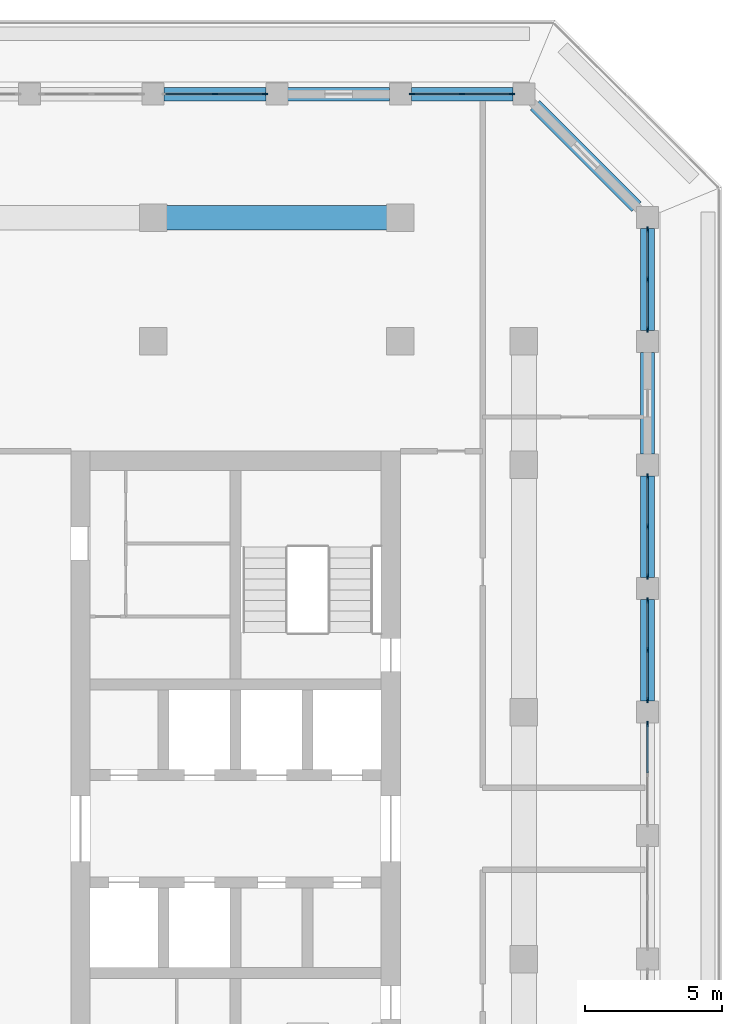
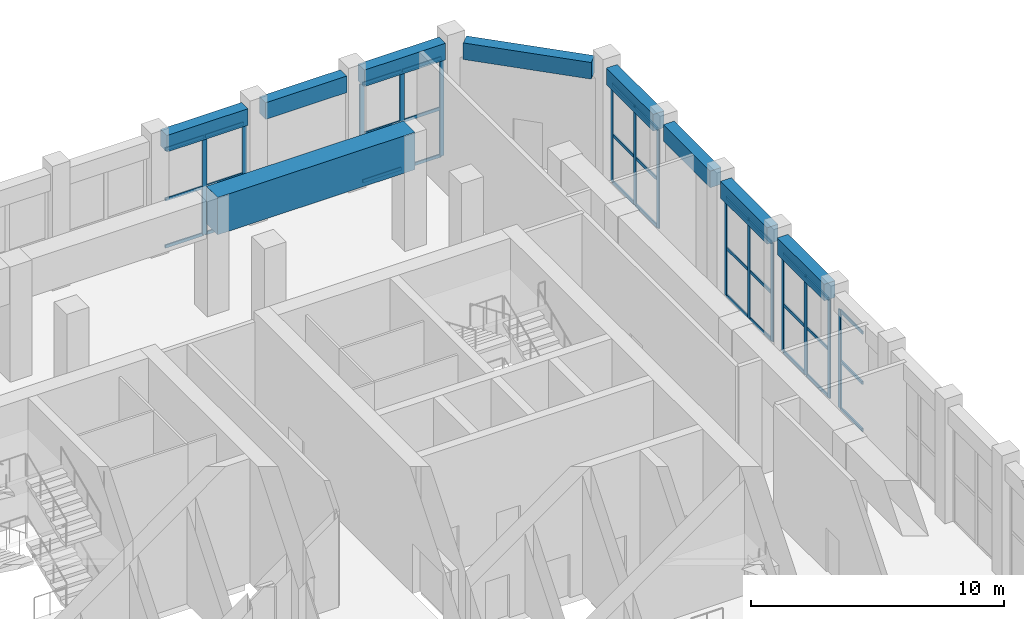
# One storey, part 8 of 25: 48 members, 9 beams, 6 elements without a shape of their own.
"""IFC4 building model written with IfcOpenShell, lengths in metres."""

from ifc_helpers import new_model, si_unit, direction, frame, origin, origin_2d, place, context, subcontext, project, spatial, rectangle, extrude, material, material_profile, profile_set, type_object, element, aggregate, save


model = new_model("IFC4")

# Units and contexts
model_context = context("Model", 3, precision=1e-05, world=origin(), true_north=direction((0.0, 1.0)))
body_context = subcontext(model_context, "Body", "Model", "MODEL_VIEW")
ifc_project = project(units=[si_unit("LENGTHUNIT", "METRE"), si_unit("AREAUNIT", "SQUARE_METRE"), si_unit("VOLUMEUNIT", "CUBIC_METRE"), si_unit("PLANEANGLEUNIT", "RADIAN"), si_unit("MASSUNIT", "GRAM", prefix="KILO")], contexts=[model_context])

# Site, building, storey
site_placement = place(None, origin())
site = spatial("IfcSite", under=ifc_project, at=site_placement, CompositionType="ELEMENT")
building_placement = place(site_placement, origin())
building = spatial("IfcBuilding", under=site, at=building_placement, Name="Corbel Stack Research Tower", CompositionType="ELEMENT")
storey_placement = place(building_placement, frame((0.0, 0.0, 260.300048828125)))
storey = spatial("IfcBuildingStorey", under=building, at=storey_placement, Name="L59", CompositionType="ELEMENT", Elevation=260.300048828125)

# Curtain wall, member
ifc_material_1 = material(Name="Aluminium frame, clear glass", Category="aluminium")
curtain_wall_type = type_object("IfcCurtainWallType", Name="Upper amenity floor curtain wall CW3", PredefinedType="NOTDEFINED", material=ifc_material_1)
curtain_wall_1_placement = place(storey_placement, origin())
curtain_wall_1 = element("IfcCurtainWall", 1, at=curtain_wall_1_placement, inside=storey, type_object=curtain_wall_type, Name="Curtain wall CW3 L59 E06", PredefinedType="NOTDEFINED")
ifc_material_2 = material(Name="Aluminium mullion", Category="aluminium")
ifc_material_profile_1 = material_profile(ifc_material_2, rectangle(XDim=0.06005859375, YDim=0.199951171875, at=origin_2d()), Name="Mullion 60 x 200")
ifc_profile_set_1 = profile_set([ifc_material_profile_1], Name="Aluminium mullion")
member_type_1 = type_object("IfcMemberType", Name="Curtain wall mullion 60 x 200", PredefinedType="MULLION", material=ifc_profile_set_1)
member_1_placement = place(storey_placement, frame((27.0, 8.570068359375, 0.0), z_axis=(0.0, 0.0, 1.0), x_axis=(-1.0, 0.0, 0.0)))
member_1 = element("IfcMember", 2, at=member_1_placement, type_object=member_type_1, Name="CW3 mullion 3", PredefinedType="MULLION", context=body_context, shape_type="SweptSolid", body=[
    extrude(rectangle(XDim=0.06005859375, YDim=0.199951171875, at=origin_2d()), origin(), (0.0, 0.0, 1.0), 4.75),
])

# Curtain wall, members
curtain_wall_2_placement = place(storey_placement, origin())
curtain_wall_2 = element("IfcCurtainWall", 3, at=curtain_wall_2_placement, inside=storey, type_object=curtain_wall_type, Name="Curtain wall CW3 L59 E07", PredefinedType="NOTDEFINED")
member_2_placement = place(storey_placement, frame((27.0, 9.429931640625, 0.0), z_axis=(0.0, 0.0, 1.0), x_axis=(-1.0, 0.0, 0.0)))
member_2 = element("IfcMember", 4, at=member_2_placement, type_object=member_type_1, Name="CW3 mullion 1", PredefinedType="MULLION", context=body_context, shape_type="SweptSolid", body=[
    extrude(rectangle(XDim=0.06005859375, YDim=0.199951171875, at=origin_2d()), origin(), (0.0, 0.0, 1.0), 4.75),
])
member_3_placement = place(storey_placement, frame((27.0, 11.25, 0.0), z_axis=(0.0, 0.0, 1.0), x_axis=(-1.0, 0.0, 0.0)))
member_3 = element("IfcMember", 5, at=member_3_placement, type_object=member_type_1, Name="CW3 mullion 2", PredefinedType="MULLION", context=body_context, shape_type="SweptSolid", body=[
    extrude(rectangle(XDim=0.06005859375, YDim=0.199951171875, at=origin_2d()), origin(), (0.0, 0.0, 1.0), 4.75),
])
member_4_placement = place(storey_placement, frame((27.0, 13.070068359375, 0.0), z_axis=(0.0, 0.0, 1.0), x_axis=(-1.0, 0.0, 0.0)))
member_4 = element("IfcMember", 6, at=member_4_placement, type_object=member_type_1, Name="CW3 mullion 3", PredefinedType="MULLION", context=body_context, shape_type="SweptSolid", body=[
    extrude(rectangle(XDim=0.06005859375, YDim=0.199951171875, at=origin_2d()), origin(), (0.0, 0.0, 1.0), 4.75),
])

curtain_wall_3_placement = place(storey_placement, origin())
curtain_wall_3 = element("IfcCurtainWall", 7, at=curtain_wall_3_placement, inside=storey, type_object=curtain_wall_type, Name="Curtain wall CW3 L59 E08", PredefinedType="NOTDEFINED")
member_5_placement = place(storey_placement, frame((27.0, 13.929931640625, 0.0), z_axis=(0.0, 0.0, 1.0), x_axis=(-1.0, 0.0, 0.0)))
member_5 = element("IfcMember", 8, at=member_5_placement, type_object=member_type_1, Name="CW3 mullion 1", PredefinedType="MULLION", context=body_context, shape_type="SweptSolid", body=[
    extrude(rectangle(XDim=0.06005859375, YDim=0.199951171875, at=origin_2d()), origin(), (0.0, 0.0, 1.0), 4.75),
])
member_6_placement = place(storey_placement, frame((27.0, 15.75, 0.0), z_axis=(0.0, 0.0, 1.0), x_axis=(-1.0, 0.0, 0.0)))
member_6 = element("IfcMember", 9, at=member_6_placement, type_object=member_type_1, Name="CW3 mullion 2", PredefinedType="MULLION", context=body_context, shape_type="SweptSolid", body=[
    extrude(rectangle(XDim=0.06005859375, YDim=0.199951171875, at=origin_2d()), origin(), (0.0, 0.0, 1.0), 4.75),
])
member_7_placement = place(storey_placement, frame((27.0, 17.570068359375, 0.0), z_axis=(0.0, 0.0, 1.0), x_axis=(-1.0, 0.0, 0.0)))
member_7 = element("IfcMember", 10, at=member_7_placement, type_object=member_type_1, Name="CW3 mullion 3", PredefinedType="MULLION", context=body_context, shape_type="SweptSolid", body=[
    extrude(rectangle(XDim=0.06005859375, YDim=0.199951171875, at=origin_2d()), origin(), (0.0, 0.0, 1.0), 4.75),
])

curtain_wall_4_placement = place(storey_placement, origin())
curtain_wall_4 = element("IfcCurtainWall", 11, at=curtain_wall_4_placement, inside=storey, type_object=curtain_wall_type, Name="Curtain wall CW3 L59 E10", PredefinedType="NOTDEFINED")
member_8_placement = place(storey_placement, frame((27.0, 22.929931640625, 0.0), z_axis=(0.0, 0.0, 1.0), x_axis=(-1.0, 0.0, 0.0)))
member_8 = element("IfcMember", 12, at=member_8_placement, type_object=member_type_1, Name="CW3 mullion 1", PredefinedType="MULLION", context=body_context, shape_type="SweptSolid", body=[
    extrude(rectangle(XDim=0.06005859375, YDim=0.199951171875, at=origin_2d()), origin(), (0.0, 0.0, 1.0), 4.75),
])
member_9_placement = place(storey_placement, frame((27.0, 24.75, 0.0), z_axis=(0.0, 0.0, 1.0), x_axis=(-1.0, 0.0, 0.0)))
member_9 = element("IfcMember", 13, at=member_9_placement, type_object=member_type_1, Name="CW3 mullion 2", PredefinedType="MULLION", context=body_context, shape_type="SweptSolid", body=[
    extrude(rectangle(XDim=0.06005859375, YDim=0.199951171875, at=origin_2d()), origin(), (0.0, 0.0, 1.0), 4.75),
])
member_10_placement = place(storey_placement, frame((27.0, 26.570068359375, 0.0), z_axis=(0.0, 0.0, 1.0), x_axis=(-1.0, 0.0, 0.0)))
member_10 = element("IfcMember", 14, at=member_10_placement, type_object=member_type_1, Name="CW3 mullion 3", PredefinedType="MULLION", context=body_context, shape_type="SweptSolid", body=[
    extrude(rectangle(XDim=0.06005859375, YDim=0.199951171875, at=origin_2d()), origin(), (0.0, 0.0, 1.0), 4.75),
])

curtain_wall_5_placement = place(storey_placement, origin())
curtain_wall_5 = element("IfcCurtainWall", 15, at=curtain_wall_5_placement, inside=storey, type_object=curtain_wall_type, Name="Curtain wall CW3 L59 N01", PredefinedType="NOTDEFINED")
member_11_placement = place(storey_placement, frame((22.070068359375, 31.5, 0.0), z_axis=(0.0, 0.0, 1.0), x_axis=(0.0, -1.0, 0.0)))
member_11 = element("IfcMember", 16, at=member_11_placement, type_object=member_type_1, Name="CW3 mullion 1", PredefinedType="MULLION", context=body_context, shape_type="SweptSolid", body=[
    extrude(rectangle(XDim=0.06005859375, YDim=0.199951171875, at=origin_2d()), origin(), (0.0, 0.0, 1.0), 4.75),
])
member_12_placement = place(storey_placement, frame((20.25, 31.5, 0.0), z_axis=(0.0, 0.0, 1.0), x_axis=(0.0, -1.0, 0.0)))
member_12 = element("IfcMember", 17, at=member_12_placement, type_object=member_type_1, Name="CW3 mullion 2", PredefinedType="MULLION", context=body_context, shape_type="SweptSolid", body=[
    extrude(rectangle(XDim=0.06005859375, YDim=0.199951171875, at=origin_2d()), origin(), (0.0, 0.0, 1.0), 4.75),
])
member_13_placement = place(storey_placement, frame((18.429931640625, 31.5, 0.0), z_axis=(0.0, 0.0, 1.0), x_axis=(0.0, -1.0, 0.0)))
member_13 = element("IfcMember", 18, at=member_13_placement, type_object=member_type_1, Name="CW3 mullion 3", PredefinedType="MULLION", context=body_context, shape_type="SweptSolid", body=[
    extrude(rectangle(XDim=0.06005859375, YDim=0.199951171875, at=origin_2d()), origin(), (0.0, 0.0, 1.0), 4.75),
])

curtain_wall_6_placement = place(storey_placement, origin())
curtain_wall_6 = element("IfcCurtainWall", 19, at=curtain_wall_6_placement, inside=storey, type_object=curtain_wall_type, Name="Curtain wall CW3 L59 N03", PredefinedType="NOTDEFINED")
member_14_placement = place(storey_placement, frame((13.070068359375, 31.5, 0.0), z_axis=(0.0, 0.0, 1.0), x_axis=(0.0, -1.0, 0.0)))
member_14 = element("IfcMember", 20, at=member_14_placement, type_object=member_type_1, Name="CW3 mullion 1", PredefinedType="MULLION", context=body_context, shape_type="SweptSolid", body=[
    extrude(rectangle(XDim=0.06005859375, YDim=0.199951171875, at=origin_2d()), origin(), (0.0, 0.0, 1.0), 4.75),
])
member_15_placement = place(storey_placement, frame((11.25, 31.5, 0.0), z_axis=(0.0, 0.0, 1.0), x_axis=(0.0, -1.0, 0.0)))
member_15 = element("IfcMember", 21, at=member_15_placement, type_object=member_type_1, Name="CW3 mullion 2", PredefinedType="MULLION", context=body_context, shape_type="SweptSolid", body=[
    extrude(rectangle(XDim=0.06005859375, YDim=0.199951171875, at=origin_2d()), origin(), (0.0, 0.0, 1.0), 4.75),
])

# Member
ifc_material_3 = material(Name="Aluminium transom", Category="aluminium")
ifc_material_profile_2 = material_profile(ifc_material_3, rectangle(XDim=0.06005859375, YDim=0.14990234375, at=origin_2d()), Name="Transom 60 x 150")
ifc_profile_set_2 = profile_set([ifc_material_profile_2], Name="Aluminium transom")
member_type_2 = type_object("IfcMemberType", Name="Curtain wall transom 60 x 150", PredefinedType="USERDEFINED", material=ifc_profile_set_2)
member_16_placement = place(storey_placement, frame((27.0, 6.780029296875, 0.030029296875), z_axis=(0.0, 1.0, 0.0), x_axis=(-1.0, 0.0, 0.0)))
member_16 = element("IfcMember", 22, at=member_16_placement, type_object=member_type_2, Name="CW3 transom 2.1", ObjectType="TRANSOM", PredefinedType="USERDEFINED", context=body_context, shape_type="SweptSolid", body=[
    extrude(rectangle(XDim=0.06005859375, YDim=0.14990234375, at=origin_2d()), origin(), (0.0, 0.0, 1.0), 1.760009765625),
])

member_17_placement = place(storey_placement, frame((27.0, 6.780029296875, 2.300048828125), z_axis=(0.0, 1.0, 0.0), x_axis=(-1.0, 0.0, 0.0)))
member_17 = element("IfcMember", 23, at=member_17_placement, type_object=member_type_2, Name="CW3 transom 2.2", ObjectType="TRANSOM", PredefinedType="USERDEFINED", context=body_context, shape_type="SweptSolid", body=[
    extrude(rectangle(XDim=0.06005859375, YDim=0.14990234375, at=origin_2d()), origin(), (0.0, 0.0, 1.0), 1.760009765625),
])

member_18_placement = place(storey_placement, frame((27.0, 6.780029296875, 4.719970703125), z_axis=(0.0, 1.0, 0.0), x_axis=(-1.0, 0.0, 0.0)))
member_18 = element("IfcMember", 24, at=member_18_placement, type_object=member_type_2, Name="CW3 transom 2.3", ObjectType="TRANSOM", PredefinedType="USERDEFINED", context=body_context, shape_type="SweptSolid", body=[
    extrude(rectangle(XDim=0.06005859375, YDim=0.14990234375, at=origin_2d()), origin(), (0.0, 0.0, 1.0), 1.760009765625),
])

aggregate(curtain_wall_1, [member_1, member_16, member_17, member_18])

member_19_placement = place(storey_placement, frame((27.0, 9.4599609375, 0.030029296875), z_axis=(0.0, 1.0, 0.0), x_axis=(-1.0, 0.0, 0.0)))
member_19 = element("IfcMember", 25, at=member_19_placement, type_object=member_type_2, Name="CW3 transom 1.1", ObjectType="TRANSOM", PredefinedType="USERDEFINED", context=body_context, shape_type="SweptSolid", body=[
    extrude(rectangle(XDim=0.06005859375, YDim=0.14990234375, at=origin_2d()), origin(), (0.0, 0.0, 1.0), 1.760009765625),
])

member_20_placement = place(storey_placement, frame((27.0, 9.4599609375, 2.300048828125), z_axis=(0.0, 1.0, 0.0), x_axis=(-1.0, 0.0, 0.0)))
member_20 = element("IfcMember", 26, at=member_20_placement, type_object=member_type_2, Name="CW3 transom 1.2", ObjectType="TRANSOM", PredefinedType="USERDEFINED", context=body_context, shape_type="SweptSolid", body=[
    extrude(rectangle(XDim=0.06005859375, YDim=0.14990234375, at=origin_2d()), origin(), (0.0, 0.0, 1.0), 1.760009765625),
])

member_21_placement = place(storey_placement, frame((27.0, 9.4599609375, 4.719970703125), z_axis=(0.0, 1.0, 0.0), x_axis=(-1.0, 0.0, 0.0)))
member_21 = element("IfcMember", 27, at=member_21_placement, type_object=member_type_2, Name="CW3 transom 1.3", ObjectType="TRANSOM", PredefinedType="USERDEFINED", context=body_context, shape_type="SweptSolid", body=[
    extrude(rectangle(XDim=0.06005859375, YDim=0.14990234375, at=origin_2d()), origin(), (0.0, 0.0, 1.0), 1.760009765625),
])

member_22_placement = place(storey_placement, frame((27.0, 11.280029296875, 0.030029296875), z_axis=(0.0, 1.0, 0.0), x_axis=(-1.0, 0.0, 0.0)))
member_22 = element("IfcMember", 28, at=member_22_placement, type_object=member_type_2, Name="CW3 transom 2.1", ObjectType="TRANSOM", PredefinedType="USERDEFINED", context=body_context, shape_type="SweptSolid", body=[
    extrude(rectangle(XDim=0.06005859375, YDim=0.14990234375, at=origin_2d()), origin(), (0.0, 0.0, 1.0), 1.760009765625),
])

member_23_placement = place(storey_placement, frame((27.0, 11.280029296875, 2.300048828125), z_axis=(0.0, 1.0, 0.0), x_axis=(-1.0, 0.0, 0.0)))
member_23 = element("IfcMember", 29, at=member_23_placement, type_object=member_type_2, Name="CW3 transom 2.2", ObjectType="TRANSOM", PredefinedType="USERDEFINED", context=body_context, shape_type="SweptSolid", body=[
    extrude(rectangle(XDim=0.06005859375, YDim=0.14990234375, at=origin_2d()), origin(), (0.0, 0.0, 1.0), 1.760009765625),
])

member_24_placement = place(storey_placement, frame((27.0, 11.280029296875, 4.719970703125), z_axis=(0.0, 1.0, 0.0), x_axis=(-1.0, 0.0, 0.0)))
member_24 = element("IfcMember", 30, at=member_24_placement, type_object=member_type_2, Name="CW3 transom 2.3", ObjectType="TRANSOM", PredefinedType="USERDEFINED", context=body_context, shape_type="SweptSolid", body=[
    extrude(rectangle(XDim=0.06005859375, YDim=0.14990234375, at=origin_2d()), origin(), (0.0, 0.0, 1.0), 1.760009765625),
])

aggregate(curtain_wall_2, [member_2, member_3, member_4, member_19, member_20, member_21, member_22, member_23, member_24])

member_25_placement = place(storey_placement, frame((27.0, 13.9599609375, 0.030029296875), z_axis=(0.0, 1.0, 0.0), x_axis=(-1.0, 0.0, 0.0)))
member_25 = element("IfcMember", 31, at=member_25_placement, type_object=member_type_2, Name="CW3 transom 1.1", ObjectType="TRANSOM", PredefinedType="USERDEFINED", context=body_context, shape_type="SweptSolid", body=[
    extrude(rectangle(XDim=0.06005859375, YDim=0.14990234375, at=origin_2d()), origin(), (0.0, 0.0, 1.0), 1.760009765625),
])

member_26_placement = place(storey_placement, frame((27.0, 13.9599609375, 2.300048828125), z_axis=(0.0, 1.0, 0.0), x_axis=(-1.0, 0.0, 0.0)))
member_26 = element("IfcMember", 32, at=member_26_placement, type_object=member_type_2, Name="CW3 transom 1.2", ObjectType="TRANSOM", PredefinedType="USERDEFINED", context=body_context, shape_type="SweptSolid", body=[
    extrude(rectangle(XDim=0.06005859375, YDim=0.14990234375, at=origin_2d()), origin(), (0.0, 0.0, 1.0), 1.760009765625),
])

member_27_placement = place(storey_placement, frame((27.0, 13.9599609375, 4.719970703125), z_axis=(0.0, 1.0, 0.0), x_axis=(-1.0, 0.0, 0.0)))
member_27 = element("IfcMember", 33, at=member_27_placement, type_object=member_type_2, Name="CW3 transom 1.3", ObjectType="TRANSOM", PredefinedType="USERDEFINED", context=body_context, shape_type="SweptSolid", body=[
    extrude(rectangle(XDim=0.06005859375, YDim=0.14990234375, at=origin_2d()), origin(), (0.0, 0.0, 1.0), 1.760009765625),
])

member_28_placement = place(storey_placement, frame((27.0, 15.780029296875, 0.030029296875), z_axis=(0.0, 1.0, 0.0), x_axis=(-1.0, 0.0, 0.0)))
member_28 = element("IfcMember", 34, at=member_28_placement, type_object=member_type_2, Name="CW3 transom 2.1", ObjectType="TRANSOM", PredefinedType="USERDEFINED", context=body_context, shape_type="SweptSolid", body=[
    extrude(rectangle(XDim=0.06005859375, YDim=0.14990234375, at=origin_2d()), origin(), (0.0, 0.0, 1.0), 1.760009765625),
])

member_29_placement = place(storey_placement, frame((27.0, 15.780029296875, 2.300048828125), z_axis=(0.0, 1.0, 0.0), x_axis=(-1.0, 0.0, 0.0)))
member_29 = element("IfcMember", 35, at=member_29_placement, type_object=member_type_2, Name="CW3 transom 2.2", ObjectType="TRANSOM", PredefinedType="USERDEFINED", context=body_context, shape_type="SweptSolid", body=[
    extrude(rectangle(XDim=0.06005859375, YDim=0.14990234375, at=origin_2d()), origin(), (0.0, 0.0, 1.0), 1.760009765625),
])

member_30_placement = place(storey_placement, frame((27.0, 15.780029296875, 4.719970703125), z_axis=(0.0, 1.0, 0.0), x_axis=(-1.0, 0.0, 0.0)))
member_30 = element("IfcMember", 36, at=member_30_placement, type_object=member_type_2, Name="CW3 transom 2.3", ObjectType="TRANSOM", PredefinedType="USERDEFINED", context=body_context, shape_type="SweptSolid", body=[
    extrude(rectangle(XDim=0.06005859375, YDim=0.14990234375, at=origin_2d()), origin(), (0.0, 0.0, 1.0), 1.760009765625),
])

aggregate(curtain_wall_3, [member_5, member_6, member_7, member_25, member_26, member_27, member_28, member_29, member_30])

member_31_placement = place(storey_placement, frame((27.0, 22.9599609375, 0.030029296875), z_axis=(0.0, 1.0, 0.0), x_axis=(-1.0, 0.0, 0.0)))
member_31 = element("IfcMember", 37, at=member_31_placement, type_object=member_type_2, Name="CW3 transom 1.1", ObjectType="TRANSOM", PredefinedType="USERDEFINED", context=body_context, shape_type="SweptSolid", body=[
    extrude(rectangle(XDim=0.06005859375, YDim=0.14990234375, at=origin_2d()), origin(), (0.0, 0.0, 1.0), 1.760009765625),
])

member_32_placement = place(storey_placement, frame((27.0, 22.9599609375, 2.300048828125), z_axis=(0.0, 1.0, 0.0), x_axis=(-1.0, 0.0, 0.0)))
member_32 = element("IfcMember", 38, at=member_32_placement, type_object=member_type_2, Name="CW3 transom 1.2", ObjectType="TRANSOM", PredefinedType="USERDEFINED", context=body_context, shape_type="SweptSolid", body=[
    extrude(rectangle(XDim=0.06005859375, YDim=0.14990234375, at=origin_2d()), origin(), (0.0, 0.0, 1.0), 1.760009765625),
])

member_33_placement = place(storey_placement, frame((27.0, 22.9599609375, 4.719970703125), z_axis=(0.0, 1.0, 0.0), x_axis=(-1.0, 0.0, 0.0)))
member_33 = element("IfcMember", 39, at=member_33_placement, type_object=member_type_2, Name="CW3 transom 1.3", ObjectType="TRANSOM", PredefinedType="USERDEFINED", context=body_context, shape_type="SweptSolid", body=[
    extrude(rectangle(XDim=0.06005859375, YDim=0.14990234375, at=origin_2d()), origin(), (0.0, 0.0, 1.0), 1.760009765625),
])

member_34_placement = place(storey_placement, frame((27.0, 24.780029296875, 0.030029296875), z_axis=(0.0, 1.0, 0.0), x_axis=(-1.0, 0.0, 0.0)))
member_34 = element("IfcMember", 40, at=member_34_placement, type_object=member_type_2, Name="CW3 transom 2.1", ObjectType="TRANSOM", PredefinedType="USERDEFINED", context=body_context, shape_type="SweptSolid", body=[
    extrude(rectangle(XDim=0.06005859375, YDim=0.14990234375, at=origin_2d()), origin(), (0.0, 0.0, 1.0), 1.760009765625),
])

member_35_placement = place(storey_placement, frame((27.0, 24.780029296875, 2.300048828125), z_axis=(0.0, 1.0, 0.0), x_axis=(-1.0, 0.0, 0.0)))
member_35 = element("IfcMember", 41, at=member_35_placement, type_object=member_type_2, Name="CW3 transom 2.2", ObjectType="TRANSOM", PredefinedType="USERDEFINED", context=body_context, shape_type="SweptSolid", body=[
    extrude(rectangle(XDim=0.06005859375, YDim=0.14990234375, at=origin_2d()), origin(), (0.0, 0.0, 1.0), 1.760009765625),
])

member_36_placement = place(storey_placement, frame((27.0, 24.780029296875, 4.719970703125), z_axis=(0.0, 1.0, 0.0), x_axis=(-1.0, 0.0, 0.0)))
member_36 = element("IfcMember", 42, at=member_36_placement, type_object=member_type_2, Name="CW3 transom 2.3", ObjectType="TRANSOM", PredefinedType="USERDEFINED", context=body_context, shape_type="SweptSolid", body=[
    extrude(rectangle(XDim=0.06005859375, YDim=0.14990234375, at=origin_2d()), origin(), (0.0, 0.0, 1.0), 1.760009765625),
])

aggregate(curtain_wall_4, [member_8, member_9, member_10, member_31, member_32, member_33, member_34, member_35, member_36])

member_37_placement = place(storey_placement, frame((22.0400390625, 31.5, 0.030029296875), z_axis=(-1.0, 0.0, 0.0), x_axis=(0.0, -1.0, 0.0)))
member_37 = element("IfcMember", 43, at=member_37_placement, type_object=member_type_2, Name="CW3 transom 1.1", ObjectType="TRANSOM", PredefinedType="USERDEFINED", context=body_context, shape_type="SweptSolid", body=[
    extrude(rectangle(XDim=0.06005859375, YDim=0.14990234375, at=origin_2d()), origin(), (0.0, 0.0, 1.0), 1.760009765625),
])

member_38_placement = place(storey_placement, frame((22.0400390625, 31.5, 2.300048828125), z_axis=(-1.0, 0.0, 0.0), x_axis=(0.0, -1.0, 0.0)))
member_38 = element("IfcMember", 44, at=member_38_placement, type_object=member_type_2, Name="CW3 transom 1.2", ObjectType="TRANSOM", PredefinedType="USERDEFINED", context=body_context, shape_type="SweptSolid", body=[
    extrude(rectangle(XDim=0.06005859375, YDim=0.14990234375, at=origin_2d()), origin(), (0.0, 0.0, 1.0), 1.760009765625),
])

member_39_placement = place(storey_placement, frame((22.0400390625, 31.5, 4.719970703125), z_axis=(-1.0, 0.0, 0.0), x_axis=(0.0, -1.0, 0.0)))
member_39 = element("IfcMember", 45, at=member_39_placement, type_object=member_type_2, Name="CW3 transom 1.3", ObjectType="TRANSOM", PredefinedType="USERDEFINED", context=body_context, shape_type="SweptSolid", body=[
    extrude(rectangle(XDim=0.06005859375, YDim=0.14990234375, at=origin_2d()), origin(), (0.0, 0.0, 1.0), 1.760009765625),
])

member_40_placement = place(storey_placement, frame((20.219970703125, 31.5, 0.030029296875), z_axis=(-1.0, 0.0, 0.0), x_axis=(0.0, -1.0, 0.0)))
member_40 = element("IfcMember", 46, at=member_40_placement, type_object=member_type_2, Name="CW3 transom 2.1", ObjectType="TRANSOM", PredefinedType="USERDEFINED", context=body_context, shape_type="SweptSolid", body=[
    extrude(rectangle(XDim=0.06005859375, YDim=0.14990234375, at=origin_2d()), origin(), (0.0, 0.0, 1.0), 1.760009765625),
])

member_41_placement = place(storey_placement, frame((20.219970703125, 31.5, 2.300048828125), z_axis=(-1.0, 0.0, 0.0), x_axis=(0.0, -1.0, 0.0)))
member_41 = element("IfcMember", 47, at=member_41_placement, type_object=member_type_2, Name="CW3 transom 2.2", ObjectType="TRANSOM", PredefinedType="USERDEFINED", context=body_context, shape_type="SweptSolid", body=[
    extrude(rectangle(XDim=0.06005859375, YDim=0.14990234375, at=origin_2d()), origin(), (0.0, 0.0, 1.0), 1.760009765625),
])

member_42_placement = place(storey_placement, frame((20.219970703125, 31.5, 4.719970703125), z_axis=(-1.0, 0.0, 0.0), x_axis=(0.0, -1.0, 0.0)))
member_42 = element("IfcMember", 48, at=member_42_placement, type_object=member_type_2, Name="CW3 transom 2.3", ObjectType="TRANSOM", PredefinedType="USERDEFINED", context=body_context, shape_type="SweptSolid", body=[
    extrude(rectangle(XDim=0.06005859375, YDim=0.14990234375, at=origin_2d()), origin(), (0.0, 0.0, 1.0), 1.760009765625),
])

aggregate(curtain_wall_5, [member_11, member_12, member_13, member_37, member_38, member_39, member_40, member_41, member_42])

member_43_placement = place(storey_placement, frame((13.0400390625, 31.5, 0.030029296875), z_axis=(-1.0, 0.0, 0.0), x_axis=(0.0, -1.0, 0.0)))
member_43 = element("IfcMember", 49, at=member_43_placement, type_object=member_type_2, Name="CW3 transom 1.1", ObjectType="TRANSOM", PredefinedType="USERDEFINED", context=body_context, shape_type="SweptSolid", body=[
    extrude(rectangle(XDim=0.06005859375, YDim=0.14990234375, at=origin_2d()), origin(), (0.0, 0.0, 1.0), 1.760009765625),
])

member_44_placement = place(storey_placement, frame((13.0400390625, 31.5, 2.300048828125), z_axis=(-1.0, 0.0, 0.0), x_axis=(0.0, -1.0, 0.0)))
member_44 = element("IfcMember", 50, at=member_44_placement, type_object=member_type_2, Name="CW3 transom 1.2", ObjectType="TRANSOM", PredefinedType="USERDEFINED", context=body_context, shape_type="SweptSolid", body=[
    extrude(rectangle(XDim=0.06005859375, YDim=0.14990234375, at=origin_2d()), origin(), (0.0, 0.0, 1.0), 1.760009765625),
])

member_45_placement = place(storey_placement, frame((13.0400390625, 31.5, 4.719970703125), z_axis=(-1.0, 0.0, 0.0), x_axis=(0.0, -1.0, 0.0)))
member_45 = element("IfcMember", 51, at=member_45_placement, type_object=member_type_2, Name="CW3 transom 1.3", ObjectType="TRANSOM", PredefinedType="USERDEFINED", context=body_context, shape_type="SweptSolid", body=[
    extrude(rectangle(XDim=0.06005859375, YDim=0.14990234375, at=origin_2d()), origin(), (0.0, 0.0, 1.0), 1.760009765625),
])

member_46_placement = place(storey_placement, frame((11.219970703125, 31.5, 0.030029296875), z_axis=(-1.0, 0.0, 0.0), x_axis=(0.0, -1.0, 0.0)))
member_46 = element("IfcMember", 52, at=member_46_placement, type_object=member_type_2, Name="CW3 transom 2.1", ObjectType="TRANSOM", PredefinedType="USERDEFINED", context=body_context, shape_type="SweptSolid", body=[
    extrude(rectangle(XDim=0.06005859375, YDim=0.14990234375, at=origin_2d()), origin(), (0.0, 0.0, 1.0), 1.760009765625),
])

member_47_placement = place(storey_placement, frame((11.219970703125, 31.5, 2.300048828125), z_axis=(-1.0, 0.0, 0.0), x_axis=(0.0, -1.0, 0.0)))
member_47 = element("IfcMember", 53, at=member_47_placement, type_object=member_type_2, Name="CW3 transom 2.2", ObjectType="TRANSOM", PredefinedType="USERDEFINED", context=body_context, shape_type="SweptSolid", body=[
    extrude(rectangle(XDim=0.06005859375, YDim=0.14990234375, at=origin_2d()), origin(), (0.0, 0.0, 1.0), 1.760009765625),
])

member_48_placement = place(storey_placement, frame((11.219970703125, 31.5, 4.719970703125), z_axis=(-1.0, 0.0, 0.0), x_axis=(0.0, -1.0, 0.0)))
member_48 = element("IfcMember", 54, at=member_48_placement, type_object=member_type_2, Name="CW3 transom 2.3", ObjectType="TRANSOM", PredefinedType="USERDEFINED", context=body_context, shape_type="SweptSolid", body=[
    extrude(rectangle(XDim=0.06005859375, YDim=0.14990234375, at=origin_2d()), origin(), (0.0, 0.0, 1.0), 1.760009765625),
])

aggregate(curtain_wall_6, [member_14, member_15, member_43, member_44, member_45, member_46, member_47, member_48])

# Beams
ifc_material_4 = material(Name="Concrete C60/75", Category="concrete")
ifc_material_profile_3 = material_profile(ifc_material_4, rectangle(XDim=0.5, YDim=0.800048828125, at=origin_2d()), Name="RC 500 x 800")
ifc_profile_set_3 = profile_set([ifc_material_profile_3], Name="Concrete C60/75")
beam_type_1 = type_object("IfcBeamType", Name="SB-500-800-450", PredefinedType="SPANDREL", material=ifc_profile_set_3)
for number, where, z_axis, x_axis, name in (
    (55, (27.0, 9.39990234375, 5.14990234375), (0.0, 1.0, 0.0), (-1.0, 0.0, 0.0), "Spandrel beam L59-16"),
    (56, (27.0, 13.89990234375, 5.14990234375), (0.0, 1.0, 0.0), (-1.0, 0.0, 0.0), "Spandrel beam L59-17"),
    (57, (27.0, 18.39990234375, 5.14990234375), (0.0, 1.0, 0.0), (-1.0, 0.0, 0.0), "Spandrel beam L59-18"),
    (58, (27.0, 22.89990234375, 5.14990234375), (0.0, 1.0, 0.0), (-1.0, 0.0, 0.0), "Spandrel beam L59-19"),
):
    element("IfcBeam", number, at=place(storey_placement, frame(where, z_axis=z_axis, x_axis=x_axis)), inside=storey, type_object=beam_type_1, Name=name, PredefinedType="SPANDREL", context=body_context, shape_type="SweptSolid", body=[
        extrude(rectangle(XDim=0.5, YDim=0.800048828125, at=origin_2d()), origin(), (0.0, 0.0, 1.0), 3.7001953125),
    ])
beam_1_placement = place(storey_placement, frame((26.60009765625, 27.39990234375, 5.14990234375), z_axis=(-0.707106781187, 0.707106781187, 0.0), x_axis=(-0.707106781187, -0.707106781187, 0.0)))
element("IfcBeam", 59, at=beam_1_placement, inside=storey, type_object=beam_type_1, Name="Spandrel beam L59-20", PredefinedType="SPANDREL", context=body_context, shape_type="SweptSolid", body=[
    extrude(rectangle(XDim=0.5, YDim=0.800048828125, at=origin_2d()), origin(), (0.0, 0.0, 1.0), 5.23291015625),
])
for number, where, z_axis, x_axis, name in (
    (60, (22.10009765625, 31.5, 5.14990234375), (-1.0, 0.0, 0.0), (0.0, -1.0, 0.0), "Spandrel beam L59-21"),
    (61, (17.60009765625, 31.5, 5.14990234375), (-1.0, 0.0, 0.0), (0.0, -1.0, 0.0), "Spandrel beam L59-22"),
    (62, (13.10009765625, 31.5, 5.14990234375), (-1.0, 0.0, 0.0), (0.0, -1.0, 0.0), "Spandrel beam L59-23"),
):
    element("IfcBeam", number, at=place(storey_placement, frame(where, z_axis=z_axis, x_axis=x_axis)), inside=storey, type_object=beam_type_1, Name=name, PredefinedType="SPANDREL", context=body_context, shape_type="SweptSolid", body=[
        extrude(rectangle(XDim=0.5, YDim=0.800048828125, at=origin_2d()), origin(), (0.0, 0.0, 1.0), 3.7001953125),
    ])
ifc_material_5 = material(Name="Concrete C60/75", Category="concrete")
ifc_material_profile_4 = material_profile(ifc_material_5, rectangle(XDim=0.89990234375, YDim=1.800048828125, at=origin_2d()), Name="RC 900 x 1800")
ifc_profile_set_4 = profile_set([ifc_material_profile_4], Name="Concrete C60/75")
beam_type_2 = type_object("IfcBeamType", Name="TG-900-1800", PredefinedType="BEAM", material=ifc_profile_set_4)
beam_2_placement = place(storey_placement, frame((9.0, 27.0, 4.64990234375), z_axis=(1.0, 0.0, 0.0), x_axis=(0.0, 1.0, 0.0)))
element("IfcBeam", 63, at=beam_2_placement, inside=storey, type_object=beam_type_2, Name="Transfer girder along the step L59 Nl9", PredefinedType="BEAM", context=body_context, shape_type="SweptSolid", body=[
    extrude(rectangle(XDim=0.89990234375, YDim=1.800048828125, at=origin_2d()), origin(), (0.0, 0.0, 1.0), 9.0),
])

save(model, "model.ifc")
